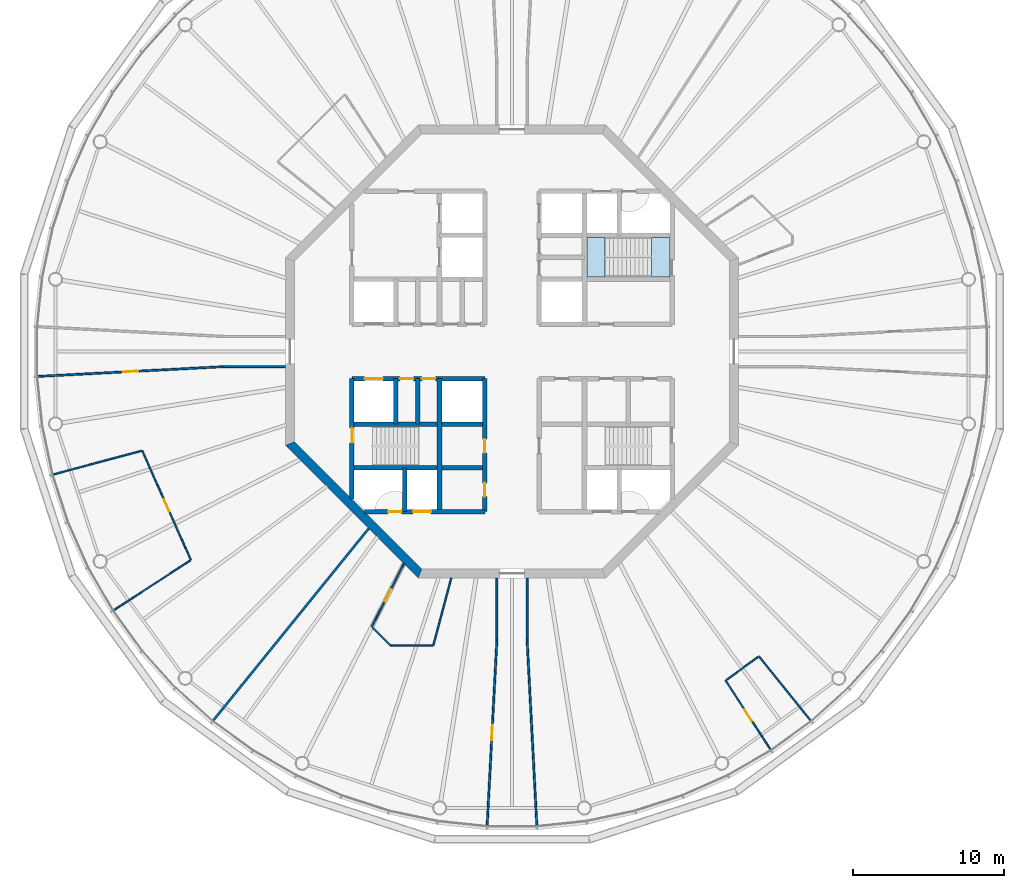
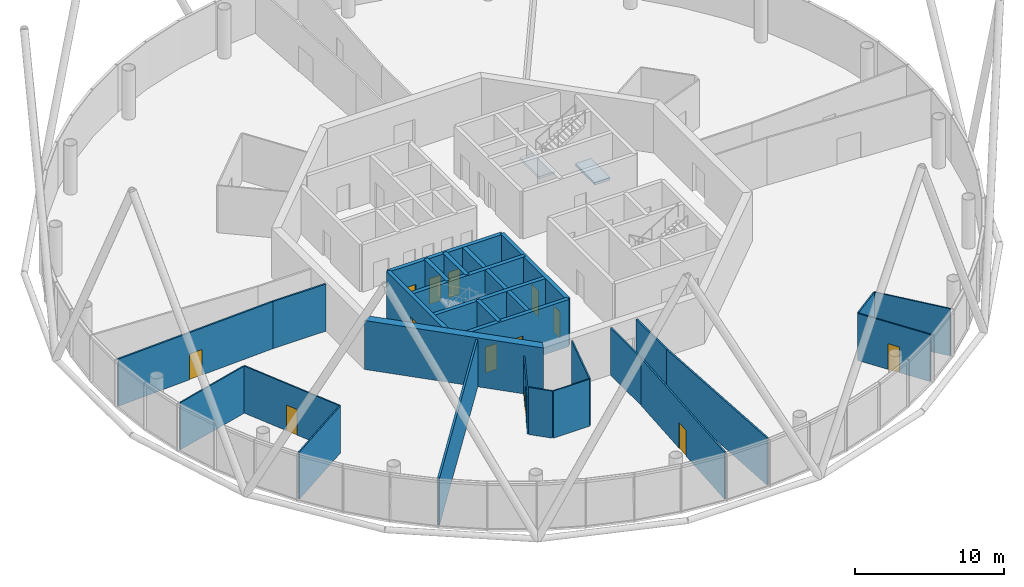
# One storey, part 3 of 13: 28 walls, 13 doors, 2 slabs, 13 openings, 1 element without a shape of its own.
"""IFC4 building model written with IfcOpenShell, lengths in metres."""

from ifc_helpers import new_model, si_unit, direction, frame, frame_2d, origin, place, context, subcontext, project, spatial, polyline, rectangle, outline, extrude, material, layer, layer_set, type_object, element, fill, aggregate, save


model = new_model("IFC4")

# Units and contexts
model_context = context("Model", 3, precision=1e-05, world=origin(), true_north=direction((0.0, 1.0)))
body_context = subcontext(model_context, "Body", "Model", "MODEL_VIEW")
ifc_project = project(units=[si_unit("LENGTHUNIT", "METRE"), si_unit("AREAUNIT", "SQUARE_METRE"), si_unit("VOLUMEUNIT", "CUBIC_METRE"), si_unit("PLANEANGLEUNIT", "RADIAN"), si_unit("MASSUNIT", "GRAM", prefix="KILO")], contexts=[model_context])

# Site, building, storey
site_placement = place(None, origin())
site = spatial("IfcSite", under=ifc_project, at=site_placement, CompositionType="ELEMENT")
building_placement = place(site_placement, origin())
building = spatial("IfcBuilding", under=site, at=building_placement, Name="Entoto Ring Tower", CompositionType="ELEMENT")
storey_placement = place(building_placement, frame((0.0, 0.0, 372.0)))
storey = spatial("IfcBuildingStorey", under=building, at=storey_placement, Name="L86", CompositionType="ELEMENT", Elevation=372.0)

# Stair, slabs
ifc_material_1 = material(Name="Concrete C40/50", Category="concrete")
stair_type = type_object("IfcStairType", Name="Exit stair 1200 mm dog-leg reinforced concrete", PredefinedType="HALF_TURN_STAIR", material=ifc_material_1)
stair_placement = place(storey_placement, origin())
stair = element("IfcStair", 1, at=stair_placement, inside=storey, type_object=stair_type, Name="Exit stair 1", PredefinedType="HALF_TURN_STAIR")
ifc_material_2 = material(Name="Concrete C40/50", Category="concrete")
ifc_layer_1 = layer(ifc_material_2, 0.199951171875)
ifc_layer_set_1 = layer_set([ifc_layer_1], Name="Concrete C40/50")
slab_type = type_object("IfcSlabType", Name="Stair landing 200 mm reinforced concrete", PredefinedType="LANDING", material=ifc_layer_set_1)
slab_1_placement = place(storey_placement, frame((0.0, 0.0, -0.199951171875)))
slab_1 = element("IfcSlab", 2, at=slab_1_placement, type_object=slab_type, Name="ST1 landing 1", PredefinedType="LANDING", context=body_context, shape_type="SweptSolid", body=[
    extrude(outline(polyline([(100.449951171875, 84.949951171875), (100.449951171875, 87.550048828125), (99.25, 87.550048828125), (99.25, 84.949951171875), (100.449951171875, 84.949951171875)])), origin(), (0.0, 0.0, 1.0), 0.199951171875),
])
slab_2_placement = place(storey_placement, frame((0.0, 0.0, 1.800048828125)))
slab_2 = element("IfcSlab", 3, at=slab_2_placement, type_object=slab_type, Name="ST1 landing 2", PredefinedType="LANDING", context=body_context, shape_type="SweptSolid", body=[
    extrude(outline(polyline([(94.949951171875, 84.949951171875), (96.169921875, 84.949951171875), (96.169921875, 87.550048828125), (94.949951171875, 87.550048828125), (94.949951171875, 84.949951171875)])), origin(), (0.0, 0.0, 1.0), 0.199951171875),
])
aggregate(stair, [slab_1, slab_2])

# Wall, openings, doors
ifc_material_3 = material(Name="Concrete C40/50", Category="concrete")
ifc_layer_2 = layer(ifc_material_3, 0.300048828125)
ifc_layer_set_2 = layer_set([ifc_layer_2], Name="Concrete C40/50")
wall_type_1 = type_object("IfcWallType", Name="Core enclosure wall 300 mm reinforced concrete", PredefinedType="SOLIDWALL", material=ifc_layer_set_2)
wall_1_placement = place(storey_placement, frame((88.199951171875, 69.39990234375, 0.0), z_axis=(0.0, 0.0, 1.0), x_axis=(0.0, 1.0, 0.0)))
wall_1 = element("IfcWall", 4, at=wall_1_placement, inside=storey, type_object=wall_type_1, Name="wall-L86-010", PredefinedType="SOLIDWALL", context=body_context, shape_type="SweptSolid", body=[
    extrude(rectangle(XDim=8.800048828125, YDim=0.300048828125, at=frame_2d((4.39990234375, 0.0))), origin(), (0.0, 0.0, 1.0), 3.85009765625),
])
opening_1_placement = place(wall_1_placement, frame((3.89990234375, 0.0, 0.0)))
opening_1 = element("IfcOpeningElement", 5, at=opening_1_placement, cuts=wall_1, Name="Opening K-21", PredefinedType="OPENING", context=body_context, shape_type="SweptSolid", body=[
    extrude(rectangle(XDim=0.89990234375, YDim=2.10009765625, at=frame_2d((0.449951171875, 1.050048828125))), frame((0.0, 0.16015625, 0.0), z_axis=(0.0, -1.0, 0.0), x_axis=(1.0, 0.0, 0.0)), (0.0, 0.0, 1.0), 0.320068359375),
])
opening_2_placement = place(wall_1_placement, frame((1.0, 0.0, 0.0)))
opening_2 = element("IfcOpeningElement", 6, at=opening_2_placement, cuts=wall_1, Name="Opening K-69", PredefinedType="OPENING", context=body_context, shape_type="SweptSolid", body=[
    extrude(rectangle(XDim=0.89990234375, YDim=2.10009765625, at=frame_2d((0.449951171875, 1.050048828125))), frame((0.0, 0.16015625, 0.0), z_axis=(0.0, -1.0, 0.0), x_axis=(1.0, 0.0, 0.0)), (0.0, 0.0, 1.0), 0.320068359375),
])
ifc_material_4 = material(Name="Steel door leaf, fire rated", Category="steel")
ifc_layer_3 = layer(ifc_material_4, 0.050048828125)
ifc_layer_set_3 = layer_set([ifc_layer_3], Name="Steel door leaf, fire rated")
door_type_1 = type_object("IfcDoorType", Name="Core door 900 x 2100 single leaf", OperationType="NOTDEFINED", PredefinedType="DOOR", material=ifc_layer_set_3)
door_1_placement = place(opening_1_placement, origin())
door_1 = element("IfcDoor", 7, at=door_1_placement, inside=storey, type_object=door_type_1, Name="Door K-21", OperationType="SINGLE_SWING_RIGHT", OverallHeight=2.10009765625, OverallWidth=0.89990234375, PredefinedType="DOOR", context=body_context, shape_type="SweptSolid", body=[
    extrude(rectangle(XDim=0.89990234375, YDim=2.10009765625, at=frame_2d((0.449951171875, 1.050048828125))), frame((0.0, 0.02490234375, 0.0), z_axis=(0.0, -1.0, 0.0), x_axis=(1.0, 0.0, 0.0)), (0.0, 0.0, 1.0), 0.050048828125),
])
fill(opening_1, door_1)
door_2_placement = place(opening_2_placement, origin())
door_2 = element("IfcDoor", 8, at=door_2_placement, inside=storey, type_object=door_type_1, Name="Door K-69", OperationType="SINGLE_SWING_RIGHT", OverallHeight=2.10009765625, OverallWidth=0.89990234375, PredefinedType="DOOR", context=body_context, shape_type="SweptSolid", body=[
    extrude(rectangle(XDim=0.89990234375, YDim=2.10009765625, at=frame_2d((0.449951171875, 1.050048828125))), frame((0.0, 0.02490234375, 0.0), z_axis=(0.0, -1.0, 0.0), x_axis=(1.0, 0.0, 0.0)), (0.0, 0.0, 1.0), 0.050048828125),
])
fill(opening_2, door_2)

# Walls
wall_2_placement = place(storey_placement, frame((85.199951171875, 69.39990234375, 0.0), z_axis=(0.0, 0.0, 1.0), x_axis=(0.0, 1.0, 0.0)))
element("IfcWall", 9, at=wall_2_placement, inside=storey, type_object=wall_type_1, Name="wall-L86-013", PredefinedType="SOLIDWALL", context=body_context, shape_type="SweptSolid", body=[
    extrude(rectangle(XDim=8.800048828125, YDim=0.300048828125, at=frame_2d((4.39990234375, 0.0))), origin(), (0.0, 0.0, 1.0), 3.85009765625),
])
wall_3_placement = place(storey_placement, frame((83.75, 75.199951171875, 0.0), z_axis=(0.0, 0.0, 1.0), x_axis=(0.0, 1.0, 0.0)))
element("IfcWall", 10, at=wall_3_placement, inside=storey, type_object=wall_type_1, Name="wall-L86-015", PredefinedType="SOLIDWALL", context=body_context, shape_type="SweptSolid", body=[
    extrude(rectangle(XDim=3.0, YDim=0.300048828125, at=frame_2d((1.5, 0.0))), origin(), (0.0, 0.0, 1.0), 3.85009765625),
])
wall_4_placement = place(storey_placement, frame((82.89990234375, 69.39990234375, 0.0), z_axis=(0.0, 0.0, 1.0), x_axis=(0.0, 1.0, 0.0)))
element("IfcWall", 11, at=wall_4_placement, inside=storey, type_object=wall_type_1, Name="wall-L86-017", PredefinedType="SOLIDWALL", context=body_context, shape_type="SweptSolid", body=[
    extrude(rectangle(XDim=2.900146484375, YDim=0.300048828125, at=frame_2d((1.4501953125, 0.0))), origin(), (0.0, 0.0, 1.0), 3.85009765625),
])
wall_5_placement = place(storey_placement, frame((82.300048828125, 75.199951171875, 0.0), z_axis=(0.0, 0.0, 1.0), x_axis=(0.0, 1.0, 0.0)))
element("IfcWall", 12, at=wall_5_placement, inside=storey, type_object=wall_type_1, Name="wall-L86-018", PredefinedType="SOLIDWALL", context=body_context, shape_type="SweptSolid", body=[
    extrude(rectangle(XDim=3.0, YDim=0.300048828125, at=frame_2d((1.5, 0.0))), origin(), (0.0, 0.0, 1.0), 3.85009765625),
])

# Wall, opening, door
wall_6_placement = place(storey_placement, frame((79.39990234375, 70.2353515625, 0.0), z_axis=(0.0, 0.0, 1.0), x_axis=(0.0, 1.0, 0.0)))
wall_6 = element("IfcWall", 13, at=wall_6_placement, inside=storey, type_object=wall_type_1, Name="wall-L86-020", PredefinedType="SOLIDWALL", context=body_context, shape_type="SweptSolid", body=[
    extrude(rectangle(XDim=7.964599609375, YDim=0.300048828125, at=frame_2d((3.982421875, 0.0))), origin(), (0.0, 0.0, 1.0), 3.85009765625),
])
opening_3_placement = place(wall_6_placement, frame((3.714599609375, 0.0, 0.0)))
opening_3 = element("IfcOpeningElement", 14, at=opening_3_placement, cuts=wall_6, Name="Opening K-27", PredefinedType="OPENING", context=body_context, shape_type="SweptSolid", body=[
    extrude(rectangle(XDim=1.0, YDim=2.10009765625, at=frame_2d((0.5, 1.050048828125))), frame((0.0, 0.16015625, 0.0), z_axis=(0.0, -1.0, 0.0), x_axis=(1.0, 0.0, 0.0)), (0.0, 0.0, 1.0), 0.320068359375),
])
ifc_material_5 = material(Name="Steel door leaf, fire rated", Category="steel")
ifc_layer_4 = layer(ifc_material_5, 0.050048828125)
ifc_layer_set_4 = layer_set([ifc_layer_4], Name="Steel door leaf, fire rated")
door_type_2 = type_object("IfcDoorType", Name="Fire door FD60 1000 x 2100 single leaf", OperationType="NOTDEFINED", PredefinedType="DOOR", material=ifc_layer_set_4)
door_3_placement = place(opening_3_placement, frame((1.0, 0.0, 0.0), z_axis=(0.0, 0.0, 1.0), x_axis=(-1.0, 0.0, 0.0)))
door_3 = element("IfcDoor", 15, at=door_3_placement, inside=storey, type_object=door_type_2, Name="Door K-27", OperationType="SINGLE_SWING_LEFT", OverallHeight=2.10009765625, OverallWidth=1.0, PredefinedType="DOOR", context=body_context, shape_type="SweptSolid", body=[
    extrude(rectangle(XDim=1.0, YDim=2.10009765625, at=frame_2d((0.5, 1.050048828125))), frame((0.0, 0.02490234375, 0.0), z_axis=(0.0, -1.0, 0.0), x_axis=(1.0, 0.0, 0.0)), (0.0, 0.0, 1.0), 0.050048828125),
])
fill(opening_3, door_3)

# Wall, openings, doors
wall_7_placement = place(storey_placement, frame((80.2353515625, 69.39990234375, 0.0), z_axis=(0.0, 0.0, 1.0), x_axis=(1.0, 0.0, 0.0)))
wall_7 = element("IfcWall", 16, at=wall_7_placement, inside=storey, type_object=wall_type_1, Name="wall-L86-022", PredefinedType="SOLIDWALL", context=body_context, shape_type="SweptSolid", body=[
    extrude(rectangle(XDim=7.964599609375, YDim=0.300048828125, at=frame_2d((3.982421875, 0.0))), origin(), (0.0, 0.0, 1.0), 3.85009765625),
])
opening_4_placement = place(wall_7_placement, frame((3.214599609375, 0.0, 0.0)))
opening_4 = element("IfcOpeningElement", 17, at=opening_4_placement, cuts=wall_7, Name="Opening LD", PredefinedType="OPENING", context=body_context, shape_type="SweptSolid", body=[
    extrude(rectangle(XDim=1.199951171875, YDim=2.10009765625, at=frame_2d((0.60009765625, 1.050048828125))), frame((0.0, 0.16015625, 0.0), z_axis=(0.0, -1.0, 0.0), x_axis=(1.0, 0.0, 0.0)), (0.0, 0.0, 1.0), 0.320068359375),
])
opening_5_placement = place(wall_7_placement, frame((1.564697265625, 0.0, 0.0)))
opening_5 = element("IfcOpeningElement", 18, at=opening_5_placement, cuts=wall_7, Name="Opening K-84", PredefinedType="OPENING", context=body_context, shape_type="SweptSolid", body=[
    extrude(rectangle(XDim=0.89990234375, YDim=2.10009765625, at=frame_2d((0.449951171875, 1.050048828125))), frame((0.0, 0.16015625, 0.0), z_axis=(0.0, -1.0, 0.0), x_axis=(1.0, 0.0, 0.0)), (0.0, 0.0, 1.0), 0.320068359375),
])
ifc_material_6 = material(Name="Steel and glass door leaf", Category="steel")
ifc_layer_5 = layer(ifc_material_6, 0.050048828125)
ifc_layer_set_5 = layer_set([ifc_layer_5], Name="Steel and glass door leaf")
door_type_3 = type_object("IfcDoorType", Name="Landing door 1200 x 2100 sliding", OperationType="DOUBLE_DOOR_SLIDING", PredefinedType="DOOR", material=ifc_layer_set_5)
door_4_placement = place(opening_4_placement, origin())
door_4 = element("IfcDoor", 19, at=door_4_placement, inside=storey, type_object=door_type_3, Name="Landing door LB3-HR", OperationType="SLIDING_TO_RIGHT", OverallHeight=2.10009765625, OverallWidth=1.199951171875, PredefinedType="DOOR", context=body_context, shape_type="SweptSolid", body=[
    extrude(rectangle(XDim=1.199951171875, YDim=2.10009765625, at=frame_2d((0.60009765625, 1.050048828125))), frame((0.0, 0.02490234375, 0.0), z_axis=(0.0, -1.0, 0.0), x_axis=(1.0, 0.0, 0.0)), (0.0, 0.0, 1.0), 0.050048828125),
])
fill(opening_4, door_4)
ifc_material_7 = material(Name="Steel door leaf, fire rated", Category="steel")
ifc_layer_6 = layer(ifc_material_7, 0.050048828125)
ifc_layer_set_6 = layer_set([ifc_layer_6], Name="Steel door leaf, fire rated")
door_type_4 = type_object("IfcDoorType", Name="Riser door FD60 900 x 2100 single leaf", OperationType="NOTDEFINED", PredefinedType="DOOR", material=ifc_layer_set_6)
door_5_placement = place(opening_5_placement, origin())
door_5 = element("IfcDoor", 20, at=door_5_placement, inside=storey, type_object=door_type_4, Name="Door K-84", OperationType="SINGLE_SWING_RIGHT", OverallHeight=2.10009765625, OverallWidth=0.89990234375, PredefinedType="DOOR", context=body_context, shape_type="SweptSolid", body=[
    extrude(rectangle(XDim=0.89990234375, YDim=2.10009765625, at=frame_2d((0.449951171875, 1.050048828125))), frame((0.0, 0.02490234375, 0.0), z_axis=(0.0, -1.0, 0.0), x_axis=(1.0, 0.0, 0.0)), (0.0, 0.0, 1.0), 0.050048828125),
])
fill(opening_5, door_5)

# Walls
for number, where, z_axis, x_axis, name in (
    (21, (79.39990234375, 72.300048828125, 0.0), (0.0, 0.0, 1.0), (1.0, 0.0, 0.0), "wall-L86-024"),
    (22, (79.39990234375, 75.199951171875, 0.0), (0.0, 0.0, 1.0), (1.0, 0.0, 0.0), "wall-L86-026"),
):
    element("IfcWall", number, at=place(storey_placement, frame(where, z_axis=z_axis, x_axis=x_axis)), inside=storey, type_object=wall_type_1, Name=name, PredefinedType="SOLIDWALL", context=body_context, shape_type="SweptSolid", body=[
        extrude(rectangle(XDim=8.800048828125, YDim=0.300048828125, at=frame_2d((4.39990234375, 0.0))), origin(), (0.0, 0.0, 1.0), 3.85009765625),
    ])

# Wall, openings, doors
wall_8_placement = place(storey_placement, frame((79.39990234375, 78.199951171875, 0.0), z_axis=(0.0, 0.0, 1.0), x_axis=(1.0, 0.0, 0.0)))
wall_8 = element("IfcWall", 23, at=wall_8_placement, inside=storey, type_object=wall_type_1, Name="wall-L86-028", PredefinedType="SOLIDWALL", context=body_context, shape_type="SweptSolid", body=[
    extrude(rectangle(XDim=8.800048828125, YDim=0.300048828125, at=frame_2d((4.39990234375, 0.0))), origin(), (0.0, 0.0, 1.0), 3.85009765625),
])
opening_6_placement = place(wall_8_placement, frame((0.85009765625, 0.0, 0.0)))
opening_6 = element("IfcOpeningElement", 24, at=opening_6_placement, cuts=wall_8, Name="Opening LD", PredefinedType="OPENING", context=body_context, shape_type="SweptSolid", body=[
    extrude(rectangle(XDim=1.199951171875, YDim=2.10009765625, at=frame_2d((0.60009765625, 1.050048828125))), frame((0.0, 0.16015625, 0.0), z_axis=(0.0, -1.0, 0.0), x_axis=(1.0, 0.0, 0.0)), (0.0, 0.0, 1.0), 0.320068359375),
])
opening_7_placement = place(wall_8_placement, frame((3.175048828125, 0.0, 0.0)))
opening_7 = element("IfcOpeningElement", 25, at=opening_7_placement, cuts=wall_8, Name="Opening K-16", PredefinedType="OPENING", context=body_context, shape_type="SweptSolid", body=[
    extrude(rectangle(XDim=0.89990234375, YDim=2.10009765625, at=frame_2d((0.449951171875, 1.050048828125))), frame((0.0, 0.16015625, 0.0), z_axis=(0.0, -1.0, 0.0), x_axis=(1.0, 0.0, 0.0)), (0.0, 0.0, 1.0), 0.320068359375),
])
opening_8_placement = place(wall_8_placement, frame((4.625, 0.0, 0.0)))
opening_8 = element("IfcOpeningElement", 26, at=opening_8_placement, cuts=wall_8, Name="Opening K-57", PredefinedType="OPENING", context=body_context, shape_type="SweptSolid", body=[
    extrude(rectangle(XDim=0.89990234375, YDim=2.10009765625, at=frame_2d((0.449951171875, 1.050048828125))), frame((0.0, 0.16015625, 0.0), z_axis=(0.0, -1.0, 0.0), x_axis=(1.0, 0.0, 0.0)), (0.0, 0.0, 1.0), 0.320068359375),
])
door_6_placement = place(opening_7_placement, frame((0.89990234375, 0.0, 0.0), z_axis=(0.0, 0.0, 1.0), x_axis=(-1.0, 0.0, 0.0)))
door_6 = element("IfcDoor", 27, at=door_6_placement, inside=storey, type_object=door_type_1, Name="Door K-16", OperationType="SINGLE_SWING_LEFT", OverallHeight=2.10009765625, OverallWidth=0.89990234375, PredefinedType="DOOR", context=body_context, shape_type="SweptSolid", body=[
    extrude(rectangle(XDim=0.89990234375, YDim=2.10009765625, at=frame_2d((0.449951171875, 1.050048828125))), frame((0.0, 0.02490234375, 0.0), z_axis=(0.0, -1.0, 0.0), x_axis=(1.0, 0.0, 0.0)), (0.0, 0.0, 1.0), 0.050048828125),
])
fill(opening_7, door_6)
door_7_placement = place(opening_8_placement, frame((0.89990234375, 0.0, 0.0), z_axis=(0.0, 0.0, 1.0), x_axis=(-1.0, 0.0, 0.0)))
door_7 = element("IfcDoor", 28, at=door_7_placement, inside=storey, type_object=door_type_1, Name="Door K-57", OperationType="SINGLE_SWING_LEFT", OverallHeight=2.10009765625, OverallWidth=0.89990234375, PredefinedType="DOOR", context=body_context, shape_type="SweptSolid", body=[
    extrude(rectangle(XDim=0.89990234375, YDim=2.10009765625, at=frame_2d((0.449951171875, 1.050048828125))), frame((0.0, 0.02490234375, 0.0), z_axis=(0.0, -1.0, 0.0), x_axis=(1.0, 0.0, 0.0)), (0.0, 0.0, 1.0), 0.050048828125),
])
fill(opening_8, door_7)
door_8_placement = place(opening_6_placement, origin())
door_8 = element("IfcDoor", 29, at=door_8_placement, inside=storey, type_object=door_type_3, Name="Landing door SH2", OperationType="SLIDING_TO_RIGHT", OverallHeight=2.10009765625, OverallWidth=1.199951171875, PredefinedType="DOOR", context=body_context, shape_type="SweptSolid", body=[
    extrude(rectangle(XDim=1.199951171875, YDim=2.10009765625, at=frame_2d((0.60009765625, 1.050048828125))), frame((0.0, 0.02490234375, 0.0), z_axis=(0.0, -1.0, 0.0), x_axis=(1.0, 0.0, 0.0)), (0.0, 0.0, 1.0), 0.050048828125),
])
fill(opening_6, door_8)

# Wall
ifc_material_8 = material(Name="Concrete C40/50", Category="concrete")
ifc_layer_7 = layer(ifc_material_8, 0.60009765625)
ifc_layer_set_7 = layer_set([ifc_layer_7], Name="Concrete C40/50")
wall_type_2 = type_object("IfcWallType", Name="Core shear wall 600 mm reinforced concrete C40/50", PredefinedType="SHEAR", material=ifc_layer_set_7)
wall_9_placement = place(storey_placement, frame((75.300048828125, 73.9111328125, 0.0), z_axis=(0.0, 0.0, 1.0), x_axis=(0.707106781187, -0.707106781187, 0.0)))
element("IfcWall", 30, at=wall_9_placement, inside=storey, type_object=wall_type_2, Name="wall-L86-core-5", PredefinedType="SHEAR", context=body_context, shape_type="SweptSolid", body=[
    extrude(outline(polyline([(-0.124267578125, -0.300048828125), (12.30224609375, -0.300048828125), (12.0537109375, 0.300048828125), (0.124267578125, 0.300048828125), (-0.124267578125, -0.300048828125)])), origin(), (0.0, 0.0, 1.0), 4.0),
])

# Wall, opening, door
ifc_material_9 = material(Name="Fire-resisting plasterboard on steel studs", Category="steel")
ifc_layer_8 = layer(ifc_material_9, 0.125)
ifc_layer_set_8 = layer_set([ifc_layer_8], Name="Fire-resisting plasterboard on steel studs")
wall_type_3 = type_object("IfcWallType", Name="Corridor wall 125 mm one-hour plasterboard on steel studs", PredefinedType="PARTITIONING", material=ifc_layer_set_8)
wall_10_placement = place(storey_placement, frame((58.60302734375, 78.3544921875, 0.0), z_axis=(0.0, 0.0, 1.0), x_axis=(0.998629289366, 0.052340638328, 0.0)))
wall_10 = element("IfcWall", 31, at=wall_10_placement, inside=storey, type_object=wall_type_3, Name="partition-L86-001", PredefinedType="PARTITIONING", context=body_context, shape_type="SweptSolid", body=[
    extrude(rectangle(XDim=12.332763671875, YDim=0.125, at=frame_2d((6.16650390625, 0.0))), origin(), (0.0, 0.0, 1.0), 3.85009765625),
])
opening_9_placement = place(wall_10_placement, frame((5.666259765625, 0.0, 0.0)))
opening_9 = element("IfcOpeningElement", 32, at=opening_9_placement, cuts=wall_10, Name="Opening A37-D06", PredefinedType="OPENING", context=body_context, shape_type="SweptSolid", body=[
    extrude(rectangle(XDim=1.0, YDim=2.10009765625, at=frame_2d((0.5, 1.050048828125))), frame((0.0, 0.072509765625, 0.0), z_axis=(0.0, -1.0, 0.0), x_axis=(1.0, 0.0, 0.0)), (0.0, 0.0, 1.0), 0.14501953125),
])
ifc_material_10 = material(Name="Fire-resisting timber door set", Category="wood")
door_type_5 = type_object("IfcDoorType", Name="Door 1000 x 2100 single leaf FD30S fire door", OperationType="NOTDEFINED", PredefinedType="DOOR", material=ifc_material_10)
door_9_placement = place(opening_9_placement, frame((1.0, 0.0, 0.0), z_axis=(0.0, 0.0, 1.0), x_axis=(-1.0, 0.0, 0.0)))
door_9 = element("IfcDoor", 33, at=door_9_placement, inside=storey, type_object=door_type_5, Name="Door A37-D06", OperationType="SINGLE_SWING_RIGHT", OverallHeight=2.10009765625, OverallWidth=1.0, PredefinedType="DOOR", context=body_context, shape_type="SweptSolid", body=[
    extrude(rectangle(XDim=1.0, YDim=2.10009765625, at=frame_2d((0.5, 1.050048828125))), frame((0.0, 0.02490234375, 0.0), z_axis=(0.0, -1.0, 0.0), x_axis=(1.0, 0.0, 0.0)), (0.0, 0.0, 1.0), 0.050048828125),
])
fill(opening_9, door_9)

wall_11_placement = place(storey_placement, frame((88.3544921875, 48.60302734375, 0.0), z_axis=(0.0, 0.0, 1.0), x_axis=(0.052340638328, 0.998629289366, 0.0)))
wall_11 = element("IfcWall", 34, at=wall_11_placement, inside=storey, type_object=wall_type_3, Name="partition-L86-003", PredefinedType="PARTITIONING", context=body_context, shape_type="SweptSolid", body=[
    extrude(rectangle(XDim=12.332763671875, YDim=0.125, at=frame_2d((6.16650390625, 0.0))), origin(), (0.0, 0.0, 1.0), 3.85009765625),
])
opening_10_placement = place(wall_11_placement, frame((5.666259765625, 0.0, 0.0)))
opening_10 = element("IfcOpeningElement", 35, at=opening_10_placement, cuts=wall_11, Name="Opening A37-D08", PredefinedType="OPENING", context=body_context, shape_type="SweptSolid", body=[
    extrude(rectangle(XDim=1.0, YDim=2.10009765625, at=frame_2d((0.5, 1.050048828125))), frame((0.0, 0.072509765625, 0.0), z_axis=(0.0, -1.0, 0.0), x_axis=(1.0, 0.0, 0.0)), (0.0, 0.0, 1.0), 0.14501953125),
])
door_10_placement = place(opening_10_placement, origin())
door_10 = element("IfcDoor", 36, at=door_10_placement, inside=storey, type_object=door_type_5, Name="Door A37-D08", OperationType="SINGLE_SWING_LEFT", OverallHeight=2.10009765625, OverallWidth=1.0, PredefinedType="DOOR", context=body_context, shape_type="SweptSolid", body=[
    extrude(rectangle(XDim=1.0, YDim=2.10009765625, at=frame_2d((0.5, 1.050048828125))), frame((0.0, 0.02490234375, 0.0), z_axis=(0.0, -1.0, 0.0), x_axis=(1.0, 0.0, 0.0)), (0.0, 0.0, 1.0), 0.050048828125),
])
fill(opening_10, door_10)

# Walls
wall_12_placement = place(storey_placement, frame((91.6455078125, 48.60302734375, 0.0), z_axis=(0.0, 0.0, 1.0), x_axis=(-0.052340638328, 0.998629289366, 0.0)))
element("IfcWall", 37, at=wall_12_placement, inside=storey, type_object=wall_type_3, Name="partition-L86-006", PredefinedType="PARTITIONING", context=body_context, shape_type="SweptSolid", body=[
    extrude(rectangle(XDim=12.332763671875, YDim=0.125, at=frame_2d((6.16650390625, 0.0))), origin(), (0.0, 0.0, 1.0), 3.85009765625),
])
for number, where, z_axis, x_axis, name in (
    (38, (70.922119140625, 79.0, 0.0), (0.0, 0.0, 1.0), (1.0, 0.0, 0.0), "partition-L86-009"),
    (39, (89.0, 60.922119140625, 0.0), (0.0, 0.0, 1.0), (0.0, 1.0, 0.0), "partition-L86-011"),
    (40, (91.0, 60.922119140625, 0.0), (0.0, 0.0, 1.0), (0.0, 1.0, 0.0), "partition-L86-013"),
):
    element("IfcWall", number, at=place(storey_placement, frame(where, z_axis=z_axis, x_axis=x_axis)), inside=storey, type_object=wall_type_3, Name=name, PredefinedType="PARTITIONING", context=body_context, shape_type="SweptSolid", body=[
        extrude(rectangle(XDim=4.077880859375, YDim=0.125, at=frame_2d((2.0390625, 0.0))), origin(), (0.0, 0.0, 1.0), 3.85009765625),
    ])

# Wall, opening, door
ifc_material_11 = material(Name="Plasterboard on steel studs", Category="steel")
ifc_layer_9 = layer(ifc_material_11, 0.10009765625)
ifc_layer_set_9 = layer_set([ifc_layer_9], Name="Plasterboard on steel studs")
wall_type_4 = type_object("IfcWallType", Name="Partition 100 mm plasterboard on steel studs", PredefinedType="PARTITIONING", material=ifc_layer_set_9)
wall_13_placement = place(storey_placement, frame((68.73974609375, 66.193359375, 0.0), z_axis=(0.0, 0.0, 1.0), x_axis=(-0.406723877258, 0.913551141244, 0.0)))
wall_13 = element("IfcWall", 41, at=wall_13_placement, inside=storey, type_object=wall_type_4, Name="partition-L86-019", PredefinedType="PARTITIONING", context=body_context, shape_type="SweptSolid", body=[
    extrude(rectangle(XDim=7.93115234375, YDim=0.10009765625, at=frame_2d((3.965576171875, 0.0))), origin(), (0.0, 0.0, 1.0), 3.85009765625),
])
opening_11_placement = place(wall_13_placement, frame((3.515625, 0.0, 0.0)))
opening_11 = element("IfcOpeningElement", 42, at=opening_11_placement, cuts=wall_13, Name="Opening A37-D07", PredefinedType="OPENING", context=body_context, shape_type="SweptSolid", body=[
    extrude(rectangle(XDim=0.89990234375, YDim=2.10009765625, at=frame_2d((0.449951171875, 1.050048828125))), frame((0.0, 0.06005859375, 0.0), z_axis=(0.0, -1.0, 0.0), x_axis=(1.0, 0.0, 0.0)), (0.0, 0.0, 1.0), 0.1201171875),
])
ifc_material_12 = material(Name="Veneered timber door leaf in timber frame", Category="wood")
door_type_6 = type_object("IfcDoorType", Name="Door 900 x 2100 single leaf timber veneer", OperationType="NOTDEFINED", PredefinedType="DOOR", material=ifc_material_12)
door_11_placement = place(opening_11_placement, origin())
door_11 = element("IfcDoor", 43, at=door_11_placement, inside=storey, type_object=door_type_6, Name="Door A37-D07", OperationType="SINGLE_SWING_LEFT", OverallHeight=2.10009765625, OverallWidth=0.89990234375, PredefinedType="DOOR", context=body_context, shape_type="SweptSolid", body=[
    extrude(rectangle(XDim=0.89990234375, YDim=2.10009765625, at=frame_2d((0.449951171875, 1.050048828125))), frame((0.0, 0.02490234375, 0.0), z_axis=(0.0, -1.0, 0.0), x_axis=(1.0, 0.0, 0.0)), (0.0, 0.0, 1.0), 0.050048828125),
])
fill(opening_11, door_11)

# Walls
for number, where, z_axis, x_axis, name in (
    (44, (63.632080078125, 62.87646484375, 0.0), (0.0, 0.0, 1.0), (0.838667927418, 0.54464310105, 0.0), "partition-L86-021"),
    (45, (59.63134765625, 71.86279296875, 0.0), (0.0, 0.0, 1.0), (0.965925681795, 0.258819584361, 0.0), "partition-L86-022"),
):
    element("IfcWall", number, at=place(storey_placement, frame(where, z_axis=z_axis, x_axis=x_axis)), inside=storey, type_object=wall_type_4, Name=name, PredefinedType="PARTITIONING", context=body_context, shape_type="SweptSolid", body=[
        extrude(rectangle(XDim=6.040771484375, YDim=0.10009765625, at=frame_2d((3.0205078125, 0.0))), origin(), (0.0, 0.0, 1.0), 3.85009765625),
    ])

# Wall, opening, door
wall_14_placement = place(storey_placement, frame((107.12353515625, 53.632080078125, 0.0), z_axis=(0.0, 0.0, 1.0), x_axis=(-0.544638467322, 0.838670936609, 0.0)))
wall_14 = element("IfcWall", 46, at=wall_14_placement, inside=storey, type_object=wall_type_4, Name="partition-L86-023", PredefinedType="PARTITIONING", context=body_context, shape_type="SweptSolid", body=[
    extrude(rectangle(XDim=5.47021484375, YDim=0.10009765625, at=frame_2d((2.735107421875, 0.0))), origin(), (0.0, 0.0, 1.0), 3.85009765625),
])
opening_12_placement = place(wall_14_placement, frame((2.284912109375, 0.0, 0.0)))
opening_12 = element("IfcOpeningElement", 47, at=opening_12_placement, cuts=wall_14, Name="Opening A37-D11", PredefinedType="OPENING", context=body_context, shape_type="SweptSolid", body=[
    extrude(rectangle(XDim=0.89990234375, YDim=2.10009765625, at=frame_2d((0.449951171875, 1.050048828125))), frame((0.0, 0.06005859375, 0.0), z_axis=(0.0, -1.0, 0.0), x_axis=(1.0, 0.0, 0.0)), (0.0, 0.0, 1.0), 0.1201171875),
])
door_12_placement = place(opening_12_placement, frame((0.89990234375, 0.0, 0.0), z_axis=(0.0, 0.0, 1.0), x_axis=(-1.0, 0.0, 0.0)))
door_12 = element("IfcDoor", 48, at=door_12_placement, inside=storey, type_object=door_type_6, Name="Door A37-D11", OperationType="SINGLE_SWING_RIGHT", OverallHeight=2.10009765625, OverallWidth=0.89990234375, PredefinedType="DOOR", context=body_context, shape_type="SweptSolid", body=[
    extrude(rectangle(XDim=0.89990234375, YDim=2.10009765625, at=frame_2d((0.449951171875, 1.050048828125))), frame((0.0, 0.02490234375, 0.0), z_axis=(0.0, -1.0, 0.0), x_axis=(1.0, 0.0, 0.0)), (0.0, 0.0, 1.0), 0.050048828125),
])
fill(opening_12, door_12)

# Walls
wall_15_placement = place(storey_placement, frame((109.785888671875, 55.56640625, 0.0), z_axis=(0.0, 0.0, 1.0), x_axis=(-0.629321480457, 0.777145079271, 0.0)))
element("IfcWall", 49, at=wall_15_placement, inside=storey, type_object=wall_type_4, Name="partition-L86-024", PredefinedType="PARTITIONING", context=body_context, shape_type="SweptSolid", body=[
    extrude(rectangle(XDim=5.469970703125, YDim=0.10009765625, at=frame_2d((2.73486328125, 0.0))), origin(), (0.0, 0.0, 1.0), 3.85009765625),
])
wall_16_placement = place(storey_placement, frame((84.788330078125, 60.550048828125, 0.0), z_axis=(0.0, 0.0, 1.0), x_axis=(0.25882349852, 0.965924632989, 0.0)))
element("IfcWall", 50, at=wall_16_placement, inside=storey, type_object=wall_type_4, Name="partition-L86-028", PredefinedType="PARTITIONING", context=body_context, shape_type="SweptSolid", body=[
    extrude(rectangle(XDim=4.60693359375, YDim=0.10009765625, at=frame_2d((2.303466796875, 0.0))), origin(), (0.0, 0.0, 1.0), 3.85009765625),
])
wall_17_placement = place(storey_placement, frame((81.943603515625, 60.550048828125, 0.0), z_axis=(0.0, 0.0, 1.0), x_axis=(1.0, 0.0, 0.0)))
element("IfcWall", 51, at=wall_17_placement, inside=storey, type_object=wall_type_4, Name="partition-L86-032", PredefinedType="PARTITIONING", context=body_context, shape_type="SweptSolid", body=[
    extrude(rectangle(XDim=2.796630859375, YDim=0.10009765625, at=frame_2d((1.3984375, 0.0))), origin(), (0.0, 0.0, 1.0), 3.85009765625),
])
wall_18_placement = place(storey_placement, frame((104.184814453125, 58.2490234375, 0.0), z_axis=(0.0, 0.0, 1.0), x_axis=(0.808994068442, 0.587816805839, 0.0)))
element("IfcWall", 52, at=wall_18_placement, inside=storey, type_object=wall_type_4, Name="partition-L86-033", PredefinedType="PARTITIONING", context=body_context, shape_type="SweptSolid", body=[
    extrude(rectangle(XDim=2.6181640625, YDim=0.10009765625, at=frame_2d((1.30908203125, 0.0))), origin(), (0.0, 0.0, 1.0), 3.85009765625),
])
wall_19_placement = place(storey_placement, frame((81.918701171875, 60.57470703125, 0.0), z_axis=(0.0, 0.0, 1.0), x_axis=(-0.707032989715, 0.707180564958, 0.0)))
element("IfcWall", 53, at=wall_19_placement, inside=storey, type_object=wall_type_4, Name="partition-L86-034", PredefinedType="PARTITIONING", context=body_context, shape_type="SweptSolid", body=[
    extrude(rectangle(XDim=1.654296875, YDim=0.10009765625, at=frame_2d((0.8271484375, 0.0))), origin(), (0.0, 0.0, 1.0), 3.85009765625),
])

# Wall, opening, door
ifc_material_13 = material(Name="Plasterboard on steel studs", Category="steel")
ifc_layer_10 = layer(ifc_material_13, 0.10009765625)
ifc_layer_set_10 = layer_set([ifc_layer_10], Name="Plasterboard on steel studs")
wall_type_5 = type_object("IfcWallType", Name="Partition 100 mm plasterboard on steel studs, 3097 mm high", PredefinedType="PARTITIONING", material=ifc_layer_set_10)
wall_20_placement = place(storey_placement, frame((80.715576171875, 61.778076171875, 0.0), z_axis=(0.0, 0.0, 1.0), x_axis=(0.453963300839, 0.891020382198, 0.0)))
wall_20 = element("IfcWall", 54, at=wall_20_placement, inside=storey, type_object=wall_type_5, Name="partition-L86-027", PredefinedType="PARTITIONING", context=body_context, shape_type="SweptSolid", body=[
    extrude(rectangle(XDim=4.678955078125, YDim=0.10009765625, at=frame_2d((2.33935546875, 0.0))), origin(), (0.0, 0.0, 1.0), 3.096923828125),
])
opening_13_placement = place(wall_20_placement, frame((1.889404296875, 0.0, 0.0)))
opening_13 = element("IfcOpeningElement", 55, at=opening_13_placement, cuts=wall_20, Name="Opening A37-D09", PredefinedType="OPENING", context=body_context, shape_type="SweptSolid", body=[
    extrude(rectangle(XDim=0.89990234375, YDim=2.10009765625, at=frame_2d((0.449951171875, 1.050048828125))), frame((0.0, 0.06005859375, 0.0), z_axis=(0.0, -1.0, 0.0), x_axis=(1.0, 0.0, 0.0)), (0.0, 0.0, 1.0), 0.1201171875),
])
door_13_placement = place(opening_13_placement, frame((0.89990234375, 0.0, 0.0), z_axis=(0.0, 0.0, 1.0), x_axis=(-1.0, 0.0, 0.0)))
door_13 = element("IfcDoor", 56, at=door_13_placement, inside=storey, type_object=door_type_6, Name="Door A37-D09", OperationType="SINGLE_SWING_LEFT", OverallHeight=2.10009765625, OverallWidth=0.89990234375, PredefinedType="DOOR", context=body_context, shape_type="SweptSolid", body=[
    extrude(rectangle(XDim=0.89990234375, YDim=2.10009765625, at=frame_2d((0.449951171875, 1.050048828125))), frame((0.0, 0.02490234375, 0.0), z_axis=(0.0, -1.0, 0.0), x_axis=(1.0, 0.0, 0.0)), (0.0, 0.0, 1.0), 0.050048828125),
])
fill(opening_13, door_13)

# Wall
ifc_material_14 = material(Name="Fire-resisting acoustic plasterboard on steel studs", Category="steel")
ifc_layer_11 = layer(ifc_material_14, 0.14990234375)
ifc_layer_set_11 = layer_set([ifc_layer_11], Name="Fire-resisting acoustic plasterboard on steel studs")
wall_type_6 = type_object("IfcWallType", Name="Party wall 150 mm one-hour acoustic plasterboard on steel studs", PredefinedType="PARTITIONING", material=ifc_layer_set_11)
wall_21_placement = place(storey_placement, frame((70.214111328125, 55.56640625, 0.0), z_axis=(0.0, 0.0, 1.0), x_axis=(0.629323592667, 0.777143368827, 0.0)))
element("IfcWall", 57, at=wall_21_placement, inside=storey, type_object=wall_type_6, Name="partition-L86-017", PredefinedType="PARTITIONING", context=body_context, shape_type="SweptSolid", body=[
    extrude(rectangle(XDim=16.357666015625, YDim=0.14990234375, at=frame_2d((8.1787109375, 0.0))), origin(), (0.0, 0.0, 1.0), 3.85009765625),
])

save(model, "model.ifc")
